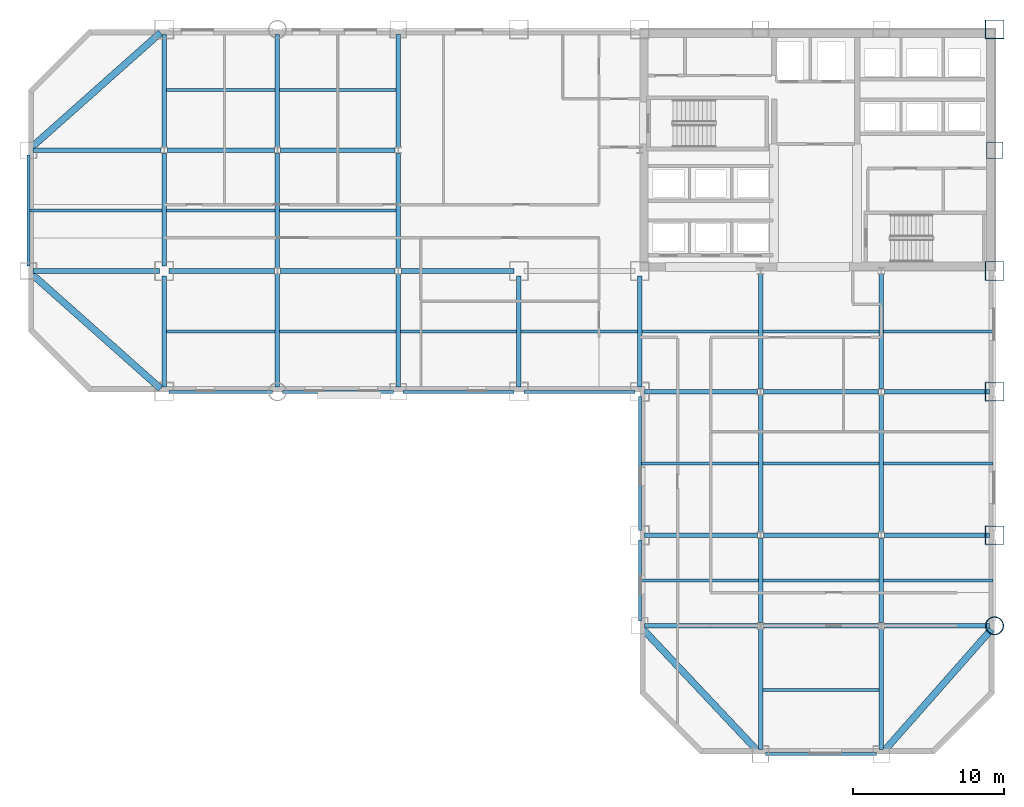
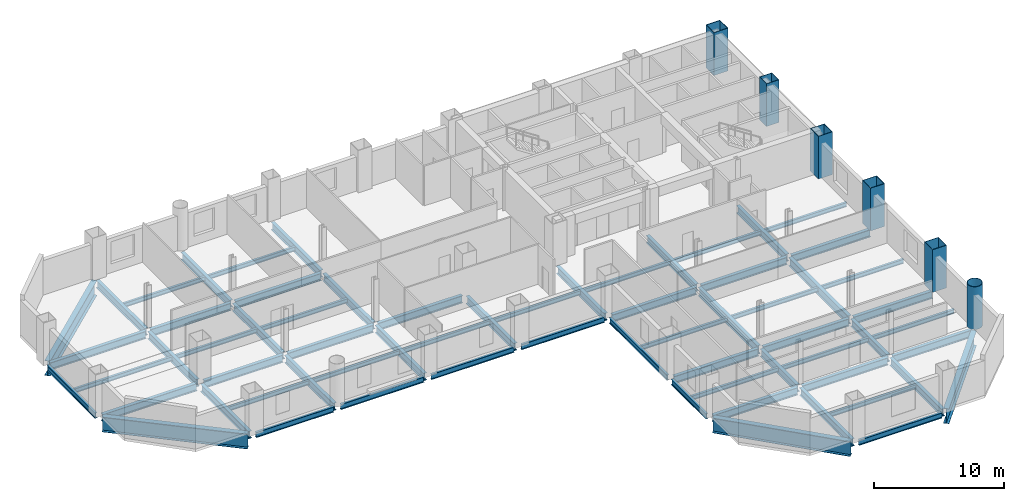
# One storey, part 3 of 9: 66 beams, 6 columns.
"""IFC4 building model written with IfcOpenShell, lengths in metres."""

from ifc_helpers import new_model, si_unit, direction, frame, origin, origin_2d, place, context, subcontext, project, spatial, hollow_rectangle, hollow_circle, i_section, extrude, material, material_profile, profile_set, type_object, element, save


model = new_model("IFC4")

# Units and contexts
model_context = context("Model", 3, precision=1e-05, world=origin(), true_north=direction((0.0, 1.0)))
body_context = subcontext(model_context, "Body", "Model", "MODEL_VIEW")
ifc_project = project(units=[si_unit("LENGTHUNIT", "METRE"), si_unit("AREAUNIT", "SQUARE_METRE"), si_unit("VOLUMEUNIT", "CUBIC_METRE"), si_unit("PLANEANGLEUNIT", "RADIAN"), si_unit("MASSUNIT", "GRAM", prefix="KILO")], contexts=[model_context])

# Site, building, storey
site_placement = place(None, origin())
site = spatial("IfcSite", under=ifc_project, at=site_placement, CompositionType="ELEMENT")
building_placement = place(site_placement, origin())
building = spatial("IfcBuilding", under=site, at=building_placement, Name="Qianrong Seaharbour Tower", CompositionType="ELEMENT")
storey_placement = place(building_placement, frame((0.0, 0.0, 80.199951171875)))
storey = spatial("IfcBuildingStorey", under=building, at=storey_placement, Name="L19", CompositionType="ELEMENT", Elevation=80.199951171875)

# Columns
ifc_material_1 = material(Name="Structural steel SN490B", Category="steel")
ifc_material_profile_1 = material_profile(ifc_material_1, hollow_rectangle(XDim=1.25, YDim=1.25, WallThickness=0.044921875, at=origin_2d()), Name="BOX1250x1250x45")
ifc_profile_set_1 = profile_set([ifc_material_profile_1], Name="Structural steel SN490B")
column_type_1 = type_object("IfcColumnType", Name="COL-CFT-1250", PredefinedType="COLUMN", material=ifc_profile_set_1)
for number, where, z_axis, x_axis, name in (
    (1, (64.0, 18.5, 0.0), (0.0, 0.0, 1.0), (1.0, 0.0, 0.0), "L19 Column MC-2 at G9/GD"),
    (2, (64.0, 28.0, 0.0), (0.0, 0.0, 1.0), (1.0, 0.0, 0.0), "L19 Column MC-2 at G9/GE"),
    (3, (64.0, 36.0, 0.0), (0.0, 0.0, 1.0), (1.0, 0.0, 0.0), "L19 Column MC-2 at G9/GF"),
    (4, (64.0, 52.0, 0.0), (0.0, 0.0, 1.0), (1.0, 0.0, 0.0), "L19 Column MC-2 at G9/GH"),
):
    element("IfcColumn", number, at=place(storey_placement, frame(where, z_axis=z_axis, x_axis=x_axis)), inside=storey, type_object=column_type_1, Name=name, PredefinedType="COLUMN", context=body_context, shape_type="SweptSolid", body=[
        extrude(hollow_rectangle(XDim=1.25, YDim=1.25, WallThickness=0.044921875, at=origin_2d()), origin(), (0.0, 0.0, 1.0), 4.0),
    ])
ifc_material_profile_2 = material_profile(ifc_material_1, hollow_circle(Radius=0.60009765625, WallThickness=0.0400390625, at=origin_2d()), Name="CHS1200x40")
ifc_profile_set_2 = profile_set([ifc_material_profile_2], Name="Structural steel SN490B")
column_type_2 = type_object("IfcColumnType", Name="COL-CHS-1200", PredefinedType="COLUMN", material=ifc_profile_set_2)
column_1_placement = place(storey_placement, frame((64.0, 12.5, 0.0), z_axis=(0.0, 0.0, 1.0), x_axis=(1.0, 0.0, 0.0)))
element("IfcColumn", 5, at=column_1_placement, inside=storey, type_object=column_type_2, Name="L19 Column CC-1 at G9/GC", PredefinedType="COLUMN", context=body_context, shape_type="SweptSolid", body=[
    extrude(hollow_circle(Radius=0.60009765625, WallThickness=0.0400390625, at=origin_2d()), origin(), (0.0, 0.0, 1.0), 4.0),
])
ifc_material_profile_3 = material_profile(ifc_material_1, hollow_rectangle(XDim=1.10009765625, YDim=1.10009765625, WallThickness=0.0400390625, at=origin_2d()), Name="BOX1100x1100x40")
ifc_profile_set_3 = profile_set([ifc_material_profile_3], Name="Structural steel SN490B")
column_type_3 = type_object("IfcColumnType", Name="COL-PER-1100", PredefinedType="COLUMN", material=ifc_profile_set_3)
column_2_placement = place(storey_placement, frame((64.0, 44.0, 0.0), z_axis=(0.0, 0.0, 1.0), x_axis=(1.0, 0.0, 0.0)))
element("IfcColumn", 6, at=column_2_placement, inside=storey, type_object=column_type_3, Name="L19 Column PC-1 at G9/GG", PredefinedType="COLUMN", context=body_context, shape_type="SweptSolid", body=[
    extrude(hollow_rectangle(XDim=1.10009765625, YDim=1.10009765625, WallThickness=0.0400390625, at=origin_2d()), origin(), (0.0, 0.0, 1.0), 4.0),
])

# Beams
ifc_material_profile_4 = material_profile(ifc_material_1, i_section(OverallWidth=0.300048828125, OverallDepth=0.699951171875, WebThickness=0.012939453125, FlangeThickness=0.02392578125, FilletRadius=0.02587890625, at=origin_2d()), Name="H700x300x13x24")
ifc_profile_set_4 = profile_set([ifc_material_profile_4], Name="Structural steel SN490B")
beam_type_1 = type_object("IfcBeamType", Name="BM-G-700", PredefinedType="BEAM", material=ifc_profile_set_4)
beam_1_placement = place(storey_placement, frame((40.820068359375, 12.5, -0.599853515625), z_axis=(1.0, 0.0, 0.0), x_axis=(0.0, 1.0, 0.0)))
element("IfcBeam", 7, at=beam_1_placement, inside=storey, type_object=beam_type_1, Name="L19 Primary Girder GC G6-G7", PredefinedType="BEAM", context=body_context, shape_type="SweptSolid", body=[
    extrude(i_section(OverallWidth=0.300048828125, OverallDepth=0.699951171875, WebThickness=0.012939453125, FlangeThickness=0.02392578125, FilletRadius=0.02587890625, at=origin_2d()), origin(), (0.0, 0.0, 1.0), 7.476318359375),
])
beam_2_placement = place(storey_placement, frame((48.70361328125, 12.5, -0.599853515625), z_axis=(1.0, 0.0, 0.0), x_axis=(0.0, 1.0, 0.0)))
element("IfcBeam", 8, at=beam_2_placement, inside=storey, type_object=beam_type_1, Name="L19 Primary Girder GC G7-G8", PredefinedType="BEAM", context=body_context, shape_type="SweptSolid", body=[
    extrude(i_section(OverallWidth=0.300048828125, OverallDepth=0.699951171875, WebThickness=0.012939453125, FlangeThickness=0.02392578125, FilletRadius=0.02587890625, at=origin_2d()), origin(), (0.0, 0.0, 1.0), 7.5927734375),
])
beam_3_placement = place(storey_placement, frame((56.70361328125, 12.5, -0.599853515625), z_axis=(1.0, 0.0, 0.0), x_axis=(0.0, 1.0, 0.0)))
element("IfcBeam", 9, at=beam_3_placement, inside=storey, type_object=beam_type_1, Name="L19 Primary Girder GC G8-G9", PredefinedType="BEAM", context=body_context, shape_type="SweptSolid", body=[
    extrude(i_section(OverallWidth=0.300048828125, OverallDepth=0.699951171875, WebThickness=0.012939453125, FlangeThickness=0.02392578125, FilletRadius=0.02587890625, at=origin_2d()), origin(), (0.0, 0.0, 1.0), 6.976318359375),
])
beam_4_placement = place(storey_placement, frame((40.820068359375, 18.5, -0.599853515625), z_axis=(1.0, 0.0, 0.0), x_axis=(0.0, 1.0, 0.0)))
element("IfcBeam", 10, at=beam_4_placement, inside=storey, type_object=beam_type_1, Name="L19 Primary Girder GD G6-G7", PredefinedType="BEAM", context=body_context, shape_type="SweptSolid", body=[
    extrude(i_section(OverallWidth=0.300048828125, OverallDepth=0.699951171875, WebThickness=0.012939453125, FlangeThickness=0.02392578125, FilletRadius=0.02587890625, at=origin_2d()), origin(), (0.0, 0.0, 1.0), 7.476318359375),
])
beam_5_placement = place(storey_placement, frame((48.70361328125, 18.5, -0.599853515625), z_axis=(1.0, 0.0, 0.0), x_axis=(0.0, 1.0, 0.0)))
element("IfcBeam", 11, at=beam_5_placement, inside=storey, type_object=beam_type_1, Name="L19 Primary Girder GD G7-G8", PredefinedType="BEAM", context=body_context, shape_type="SweptSolid", body=[
    extrude(i_section(OverallWidth=0.300048828125, OverallDepth=0.699951171875, WebThickness=0.012939453125, FlangeThickness=0.02392578125, FilletRadius=0.02587890625, at=origin_2d()), origin(), (0.0, 0.0, 1.0), 7.5927734375),
])
beam_6_placement = place(storey_placement, frame((56.70361328125, 18.5, -0.599853515625), z_axis=(1.0, 0.0, 0.0), x_axis=(0.0, 1.0, 0.0)))
element("IfcBeam", 12, at=beam_6_placement, inside=storey, type_object=beam_type_1, Name="L19 Primary Girder GD G8-G9", PredefinedType="BEAM", context=body_context, shape_type="SweptSolid", body=[
    extrude(i_section(OverallWidth=0.300048828125, OverallDepth=0.699951171875, WebThickness=0.012939453125, FlangeThickness=0.02392578125, FilletRadius=0.02587890625, at=origin_2d()), origin(), (0.0, 0.0, 1.0), 6.976318359375),
])
beam_7_placement = place(storey_placement, frame((40.820068359375, 28.0, -0.599853515625), z_axis=(1.0, 0.0, 0.0), x_axis=(0.0, 1.0, 0.0)))
element("IfcBeam", 13, at=beam_7_placement, inside=storey, type_object=beam_type_1, Name="L19 Primary Girder GE G6-G7", PredefinedType="BEAM", context=body_context, shape_type="SweptSolid", body=[
    extrude(i_section(OverallWidth=0.300048828125, OverallDepth=0.699951171875, WebThickness=0.012939453125, FlangeThickness=0.02392578125, FilletRadius=0.02587890625, at=origin_2d()), origin(), (0.0, 0.0, 1.0), 7.476318359375),
])
beam_8_placement = place(storey_placement, frame((48.70361328125, 28.0, -0.599853515625), z_axis=(1.0, 0.0, 0.0), x_axis=(0.0, 1.0, 0.0)))
element("IfcBeam", 14, at=beam_8_placement, inside=storey, type_object=beam_type_1, Name="L19 Primary Girder GE G7-G8", PredefinedType="BEAM", context=body_context, shape_type="SweptSolid", body=[
    extrude(i_section(OverallWidth=0.300048828125, OverallDepth=0.699951171875, WebThickness=0.012939453125, FlangeThickness=0.02392578125, FilletRadius=0.02587890625, at=origin_2d()), origin(), (0.0, 0.0, 1.0), 7.5927734375),
])
beam_9_placement = place(storey_placement, frame((56.70361328125, 28.0, -0.599853515625), z_axis=(1.0, 0.0, 0.0), x_axis=(0.0, 1.0, 0.0)))
element("IfcBeam", 15, at=beam_9_placement, inside=storey, type_object=beam_type_1, Name="L19 Primary Girder GE G8-G9", PredefinedType="BEAM", context=body_context, shape_type="SweptSolid", body=[
    extrude(i_section(OverallWidth=0.300048828125, OverallDepth=0.699951171875, WebThickness=0.012939453125, FlangeThickness=0.02392578125, FilletRadius=0.02587890625, at=origin_2d()), origin(), (0.0, 0.0, 1.0), 6.976318359375),
])
beam_10_placement = place(storey_placement, frame((0.320068359375, 36.0, -0.599853515625), z_axis=(1.0, 0.0, 0.0), x_axis=(0.0, 1.0, 0.0)))
element("IfcBeam", 16, at=beam_10_placement, inside=storey, type_object=beam_type_1, Name="L19 Primary Girder GF G1-G2", PredefinedType="BEAM", context=body_context, shape_type="SweptSolid", body=[
    extrude(i_section(OverallWidth=0.300048828125, OverallDepth=0.699951171875, WebThickness=0.012939453125, FlangeThickness=0.02392578125, FilletRadius=0.02587890625, at=origin_2d()), origin(), (0.0, 0.0, 1.0), 8.35986328125),
])
beam_11_placement = place(storey_placement, frame((9.320068359375, 36.0, -0.599853515625), z_axis=(1.0, 0.0, 0.0), x_axis=(0.0, 1.0, 0.0)))
element("IfcBeam", 17, at=beam_11_placement, inside=storey, type_object=beam_type_1, Name="L19 Primary Girder GF G2-G3", PredefinedType="BEAM", context=body_context, shape_type="SweptSolid", body=[
    extrude(i_section(OverallWidth=0.300048828125, OverallDepth=0.699951171875, WebThickness=0.012939453125, FlangeThickness=0.02392578125, FilletRadius=0.02587890625, at=origin_2d()), origin(), (0.0, 0.0, 1.0), 6.976318359375),
])
beam_12_placement = place(storey_placement, frame((16.70361328125, 36.0, -0.599853515625), z_axis=(1.0, 0.0, 0.0), x_axis=(0.0, 1.0, 0.0)))
element("IfcBeam", 18, at=beam_12_placement, inside=storey, type_object=beam_type_1, Name="L19 Primary Girder GF G3-G4", PredefinedType="BEAM", context=body_context, shape_type="SweptSolid", body=[
    extrude(i_section(OverallWidth=0.300048828125, OverallDepth=0.699951171875, WebThickness=0.012939453125, FlangeThickness=0.02392578125, FilletRadius=0.02587890625, at=origin_2d()), origin(), (0.0, 0.0, 1.0), 7.5927734375),
])
beam_13_placement = place(storey_placement, frame((24.70361328125, 36.0, -0.599853515625), z_axis=(1.0, 0.0, 0.0), x_axis=(0.0, 1.0, 0.0)))
element("IfcBeam", 19, at=beam_13_placement, inside=storey, type_object=beam_type_1, Name="L19 Primary Girder GF G4-G5", PredefinedType="BEAM", context=body_context, shape_type="SweptSolid", body=[
    extrude(i_section(OverallWidth=0.300048828125, OverallDepth=0.699951171875, WebThickness=0.012939453125, FlangeThickness=0.02392578125, FilletRadius=0.02587890625, at=origin_2d()), origin(), (0.0, 0.0, 1.0), 7.476318359375),
])
beam_14_placement = place(storey_placement, frame((0.320068359375, 44.0, -0.599853515625), z_axis=(1.0, 0.0, 0.0), x_axis=(0.0, 1.0, 0.0)))
element("IfcBeam", 20, at=beam_14_placement, inside=storey, type_object=beam_type_1, Name="L19 Primary Girder GG G1-G2", PredefinedType="BEAM", context=body_context, shape_type="SweptSolid", body=[
    extrude(i_section(OverallWidth=0.300048828125, OverallDepth=0.699951171875, WebThickness=0.012939453125, FlangeThickness=0.02392578125, FilletRadius=0.02587890625, at=origin_2d()), origin(), (0.0, 0.0, 1.0), 8.476318359375),
])
beam_15_placement = place(storey_placement, frame((9.20361328125, 44.0, -0.599853515625), z_axis=(1.0, 0.0, 0.0), x_axis=(0.0, 1.0, 0.0)))
element("IfcBeam", 21, at=beam_15_placement, inside=storey, type_object=beam_type_1, Name="L19 Primary Girder GG G2-G3", PredefinedType="BEAM", context=body_context, shape_type="SweptSolid", body=[
    extrude(i_section(OverallWidth=0.300048828125, OverallDepth=0.699951171875, WebThickness=0.012939453125, FlangeThickness=0.02392578125, FilletRadius=0.02587890625, at=origin_2d()), origin(), (0.0, 0.0, 1.0), 7.0927734375),
])
beam_16_placement = place(storey_placement, frame((16.70361328125, 44.0, -0.599853515625), z_axis=(1.0, 0.0, 0.0), x_axis=(0.0, 1.0, 0.0)))
element("IfcBeam", 22, at=beam_16_placement, inside=storey, type_object=beam_type_1, Name="L19 Primary Girder GG G3-G4", PredefinedType="BEAM", context=body_context, shape_type="SweptSolid", body=[
    extrude(i_section(OverallWidth=0.300048828125, OverallDepth=0.699951171875, WebThickness=0.012939453125, FlangeThickness=0.02392578125, FilletRadius=0.02587890625, at=origin_2d()), origin(), (0.0, 0.0, 1.0), 7.5927734375),
])
beam_17_placement = place(storey_placement, frame((9.0, 28.320068359375, -0.599853515625), z_axis=(0.0, 1.0, 0.0), x_axis=(-1.0, 0.0, 0.0)))
element("IfcBeam", 23, at=beam_17_placement, inside=storey, type_object=beam_type_1, Name="L19 Primary Girder G2 GE-GF", PredefinedType="BEAM", context=body_context, shape_type="SweptSolid", body=[
    extrude(i_section(OverallWidth=0.300048828125, OverallDepth=0.699951171875, WebThickness=0.012939453125, FlangeThickness=0.02392578125, FilletRadius=0.02587890625, at=origin_2d()), origin(), (0.0, 0.0, 1.0), 7.35986328125),
])
for number, where, z_axis, x_axis, name in (
    (24, (9.0, 36.320068359375, -0.599853515625), (0.0, 1.0, 0.0), (-1.0, 0.0, 0.0), "L19 Primary Girder G2 GF-GG"),
    (25, (9.0, 44.214111328125, -0.599853515625), (0.0, 1.0, 0.0), (-1.0, 0.0, 0.0), "L19 Primary Girder G2 GG-GH"),
    (26, (16.5, 28.320068359375, -0.599853515625), (0.0, 1.0, 0.0), (-1.0, 0.0, 0.0), "L19 Primary Girder G3 GE-GF"),
):
    element("IfcBeam", number, at=place(storey_placement, frame(where, z_axis=z_axis, x_axis=x_axis)), inside=storey, type_object=beam_type_1, Name=name, PredefinedType="BEAM", context=body_context, shape_type="SweptSolid", body=[
        extrude(i_section(OverallWidth=0.300048828125, OverallDepth=0.699951171875, WebThickness=0.012939453125, FlangeThickness=0.02392578125, FilletRadius=0.02587890625, at=origin_2d()), origin(), (0.0, 0.0, 1.0), 7.4658203125),
    ])
beam_18_placement = place(storey_placement, frame((16.5, 36.214111328125, -0.599853515625), z_axis=(0.0, 1.0, 0.0), x_axis=(-1.0, 0.0, 0.0)))
element("IfcBeam", 27, at=beam_18_placement, inside=storey, type_object=beam_type_1, Name="L19 Primary Girder G3 GF-GG", PredefinedType="BEAM", context=body_context, shape_type="SweptSolid", body=[
    extrude(i_section(OverallWidth=0.300048828125, OverallDepth=0.699951171875, WebThickness=0.012939453125, FlangeThickness=0.02392578125, FilletRadius=0.02587890625, at=origin_2d()), origin(), (0.0, 0.0, 1.0), 7.57177734375),
])
for number, where, z_axis, x_axis, name in (
    (28, (16.5, 44.214111328125, -0.599853515625), (0.0, 1.0, 0.0), (-1.0, 0.0, 0.0), "L19 Primary Girder G3 GG-GH"),
    (29, (24.5, 28.320068359375, -0.599853515625), (0.0, 1.0, 0.0), (-1.0, 0.0, 0.0), "L19 Primary Girder G4 GE-GF"),
):
    element("IfcBeam", number, at=place(storey_placement, frame(where, z_axis=z_axis, x_axis=x_axis)), inside=storey, type_object=beam_type_1, Name=name, PredefinedType="BEAM", context=body_context, shape_type="SweptSolid", body=[
        extrude(i_section(OverallWidth=0.300048828125, OverallDepth=0.699951171875, WebThickness=0.012939453125, FlangeThickness=0.02392578125, FilletRadius=0.02587890625, at=origin_2d()), origin(), (0.0, 0.0, 1.0), 7.4658203125),
    ])
beam_19_placement = place(storey_placement, frame((24.5, 36.214111328125, -0.599853515625), z_axis=(0.0, 1.0, 0.0), x_axis=(-1.0, 0.0, 0.0)))
element("IfcBeam", 30, at=beam_19_placement, inside=storey, type_object=beam_type_1, Name="L19 Primary Girder G4 GF-GG", PredefinedType="BEAM", context=body_context, shape_type="SweptSolid", body=[
    extrude(i_section(OverallWidth=0.300048828125, OverallDepth=0.699951171875, WebThickness=0.012939453125, FlangeThickness=0.02392578125, FilletRadius=0.02587890625, at=origin_2d()), origin(), (0.0, 0.0, 1.0), 7.57177734375),
])
beam_20_placement = place(storey_placement, frame((24.5, 44.214111328125, -0.599853515625), z_axis=(0.0, 1.0, 0.0), x_axis=(-1.0, 0.0, 0.0)))
element("IfcBeam", 31, at=beam_20_placement, inside=storey, type_object=beam_type_1, Name="L19 Primary Girder G4 GG-GH", PredefinedType="BEAM", context=body_context, shape_type="SweptSolid", body=[
    extrude(i_section(OverallWidth=0.300048828125, OverallDepth=0.699951171875, WebThickness=0.012939453125, FlangeThickness=0.02392578125, FilletRadius=0.02587890625, at=origin_2d()), origin(), (0.0, 0.0, 1.0), 7.4658203125),
])
for number, where, z_axis, x_axis, name in (
    (32, (32.5, 28.320068359375, -0.599853515625), (0.0, 1.0, 0.0), (-1.0, 0.0, 0.0), "L19 Primary Girder G5 GE-GF"),
    (33, (40.5, 28.320068359375, -0.599853515625), (0.0, 1.0, 0.0), (-1.0, 0.0, 0.0), "L19 Primary Girder G6 GE-GF"),
):
    element("IfcBeam", number, at=place(storey_placement, frame(where, z_axis=z_axis, x_axis=x_axis)), inside=storey, type_object=beam_type_1, Name=name, PredefinedType="BEAM", context=body_context, shape_type="SweptSolid", body=[
        extrude(i_section(OverallWidth=0.300048828125, OverallDepth=0.699951171875, WebThickness=0.012939453125, FlangeThickness=0.02392578125, FilletRadius=0.02587890625, at=origin_2d()), origin(), (0.0, 0.0, 1.0), 7.35986328125),
    ])
beam_21_placement = place(storey_placement, frame((48.5, 4.320068359375, -0.599853515625), z_axis=(0.0, 1.0, 0.0), x_axis=(-1.0, 0.0, 0.0)))
element("IfcBeam", 34, at=beam_21_placement, inside=storey, type_object=beam_type_1, Name="L19 Primary Girder G7 GB-GC", PredefinedType="BEAM", context=body_context, shape_type="SweptSolid", body=[
    extrude(i_section(OverallWidth=0.300048828125, OverallDepth=0.699951171875, WebThickness=0.012939453125, FlangeThickness=0.02392578125, FilletRadius=0.02587890625, at=origin_2d()), origin(), (0.0, 0.0, 1.0), 7.9658203125),
])
beam_22_placement = place(storey_placement, frame((48.5, 12.714111328125, -0.599853515625), z_axis=(0.0, 1.0, 0.0), x_axis=(-1.0, 0.0, 0.0)))
element("IfcBeam", 35, at=beam_22_placement, inside=storey, type_object=beam_type_1, Name="L19 Primary Girder G7 GC-GD", PredefinedType="BEAM", context=body_context, shape_type="SweptSolid", body=[
    extrude(i_section(OverallWidth=0.300048828125, OverallDepth=0.699951171875, WebThickness=0.012939453125, FlangeThickness=0.02392578125, FilletRadius=0.02587890625, at=origin_2d()), origin(), (0.0, 0.0, 1.0), 5.57177734375),
])
beam_23_placement = place(storey_placement, frame((48.5, 28.214111328125, -0.599853515625), z_axis=(0.0, 1.0, 0.0), x_axis=(-1.0, 0.0, 0.0)))
element("IfcBeam", 36, at=beam_23_placement, inside=storey, type_object=beam_type_1, Name="L19 Primary Girder G7 GE-GF", PredefinedType="BEAM", context=body_context, shape_type="SweptSolid", body=[
    extrude(i_section(OverallWidth=0.300048828125, OverallDepth=0.699951171875, WebThickness=0.012939453125, FlangeThickness=0.02392578125, FilletRadius=0.02587890625, at=origin_2d()), origin(), (0.0, 0.0, 1.0), 7.57177734375),
])
beam_24_placement = place(storey_placement, frame((56.5, 4.320068359375, -0.599853515625), z_axis=(0.0, 1.0, 0.0), x_axis=(-1.0, 0.0, 0.0)))
element("IfcBeam", 37, at=beam_24_placement, inside=storey, type_object=beam_type_1, Name="L19 Primary Girder G8 GB-GC", PredefinedType="BEAM", context=body_context, shape_type="SweptSolid", body=[
    extrude(i_section(OverallWidth=0.300048828125, OverallDepth=0.699951171875, WebThickness=0.012939453125, FlangeThickness=0.02392578125, FilletRadius=0.02587890625, at=origin_2d()), origin(), (0.0, 0.0, 1.0), 7.9658203125),
])
beam_25_placement = place(storey_placement, frame((56.5, 12.714111328125, -0.599853515625), z_axis=(0.0, 1.0, 0.0), x_axis=(-1.0, 0.0, 0.0)))
element("IfcBeam", 38, at=beam_25_placement, inside=storey, type_object=beam_type_1, Name="L19 Primary Girder G8 GC-GD", PredefinedType="BEAM", context=body_context, shape_type="SweptSolid", body=[
    extrude(i_section(OverallWidth=0.300048828125, OverallDepth=0.699951171875, WebThickness=0.012939453125, FlangeThickness=0.02392578125, FilletRadius=0.02587890625, at=origin_2d()), origin(), (0.0, 0.0, 1.0), 5.57177734375),
])
beam_26_placement = place(storey_placement, frame((56.5, 28.214111328125, -0.599853515625), z_axis=(0.0, 1.0, 0.0), x_axis=(-1.0, 0.0, 0.0)))
element("IfcBeam", 39, at=beam_26_placement, inside=storey, type_object=beam_type_1, Name="L19 Primary Girder G8 GE-GF", PredefinedType="BEAM", context=body_context, shape_type="SweptSolid", body=[
    extrude(i_section(OverallWidth=0.300048828125, OverallDepth=0.699951171875, WebThickness=0.012939453125, FlangeThickness=0.02392578125, FilletRadius=0.02587890625, at=origin_2d()), origin(), (0.0, 0.0, 1.0), 7.57177734375),
])
ifc_material_profile_5 = material_profile(ifc_material_1, i_section(OverallWidth=0.300048828125, OverallDepth=0.800048828125, WebThickness=0.013916015625, FlangeThickness=0.02587890625, FilletRadius=0.028076171875, at=origin_2d()), Name="H800x300x14x26")
ifc_profile_set_5 = profile_set([ifc_material_profile_5], Name="Structural steel SN490B")
beam_type_2 = type_object("IfcBeamType", Name="BM-G-800", PredefinedType="BEAM", material=ifc_profile_set_5)
for number, where, z_axis, x_axis, name in (
    (40, (48.5, 18.714111328125, -0.64990234375), (0.0, 1.0, 0.0), (-1.0, 0.0, 0.0), "L19 Primary Girder G7 GD-GE"),
    (41, (56.5, 18.714111328125, -0.64990234375), (0.0, 1.0, 0.0), (-1.0, 0.0, 0.0), "L19 Primary Girder G8 GD-GE"),
):
    element("IfcBeam", number, at=place(storey_placement, frame(where, z_axis=z_axis, x_axis=x_axis)), inside=storey, type_object=beam_type_2, Name=name, PredefinedType="BEAM", context=body_context, shape_type="SweptSolid", body=[
        extrude(i_section(OverallWidth=0.300048828125, OverallDepth=0.800048828125, WebThickness=0.013916015625, FlangeThickness=0.02587890625, FilletRadius=0.028076171875, at=origin_2d()), origin(), (0.0, 0.0, 1.0), 9.07177734375),
    ])
ifc_material_2 = material(Name="Structural steel SN400B", Category="steel")
ifc_material_profile_6 = material_profile(ifc_material_2, i_section(OverallWidth=0.199951171875, OverallDepth=0.39990234375, WebThickness=0.008056640625, FlangeThickness=0.012939453125, FilletRadius=0.01611328125, at=origin_2d()), Name="H400x200x8x13")
ifc_profile_set_6 = profile_set([ifc_material_profile_6], Name="Structural steel SN400B")
beam_type_3 = type_object("IfcBeamType", Name="BM-J-400", PredefinedType="JOIST", material=ifc_profile_set_6)
beam_27_placement = place(storey_placement, frame((0.10009765625, 40.0, -0.449951171875), z_axis=(1.0, 0.0, 0.0), x_axis=(0.0, 1.0, 0.0)))
element("IfcBeam", 42, at=beam_27_placement, inside=storey, type_object=beam_type_3, Name="L19 Composite Floor Joist G1-G2/GF-GG", PredefinedType="JOIST", context=body_context, shape_type="SweptSolid", body=[
    extrude(i_section(OverallWidth=0.199951171875, OverallDepth=0.39990234375, WebThickness=0.008056640625, FlangeThickness=0.012939453125, FilletRadius=0.01611328125, at=origin_2d()), origin(), (0.0, 0.0, 1.0), 8.75),
])
for number, where, z_axis, x_axis, name in (
    (43, (9.14990234375, 32.0, -0.449951171875), (1.0, 0.0, 0.0), (0.0, 1.0, 0.0), "L19 Composite Floor Joist G2-G3/GE-GF"),
    (44, (9.14990234375, 40.0, -0.449951171875), (1.0, 0.0, 0.0), (0.0, 1.0, 0.0), "L19 Composite Floor Joist G2-G3/GF-GG"),
    (45, (9.14990234375, 48.0, -0.449951171875), (1.0, 0.0, 0.0), (0.0, 1.0, 0.0), "L19 Composite Floor Joist G2-G3/GG-GH"),
):
    element("IfcBeam", number, at=place(storey_placement, frame(where, z_axis=z_axis, x_axis=x_axis)), inside=storey, type_object=beam_type_3, Name=name, PredefinedType="JOIST", context=body_context, shape_type="SweptSolid", body=[
        extrude(i_section(OverallWidth=0.199951171875, OverallDepth=0.39990234375, WebThickness=0.008056640625, FlangeThickness=0.012939453125, FilletRadius=0.01611328125, at=origin_2d()), origin(), (0.0, 0.0, 1.0), 7.2001953125),
    ])
for number, where, z_axis, x_axis, name in (
    (46, (16.64990234375, 32.0, -0.449951171875), (1.0, 0.0, 0.0), (0.0, 1.0, 0.0), "L19 Composite Floor Joist G3-G4/GE-GF"),
    (47, (16.64990234375, 40.0, -0.449951171875), (1.0, 0.0, 0.0), (0.0, 1.0, 0.0), "L19 Composite Floor Joist G3-G4/GF-GG"),
    (48, (16.64990234375, 48.0, -0.449951171875), (1.0, 0.0, 0.0), (0.0, 1.0, 0.0), "L19 Composite Floor Joist G3-G4/GG-GH"),
    (49, (24.64990234375, 32.0, -0.449951171875), (1.0, 0.0, 0.0), (0.0, 1.0, 0.0), "L19 Composite Floor Joist G4-G5/GE-GF"),
    (50, (32.64990234375, 32.0, -0.449951171875), (1.0, 0.0, 0.0), (0.0, 1.0, 0.0), "L19 Composite Floor Joist G5-G6/GE-GF"),
):
    element("IfcBeam", number, at=place(storey_placement, frame(where, z_axis=z_axis, x_axis=x_axis)), inside=storey, type_object=beam_type_3, Name=name, PredefinedType="JOIST", context=body_context, shape_type="SweptSolid", body=[
        extrude(i_section(OverallWidth=0.199951171875, OverallDepth=0.39990234375, WebThickness=0.008056640625, FlangeThickness=0.012939453125, FilletRadius=0.01611328125, at=origin_2d()), origin(), (0.0, 0.0, 1.0), 7.7001953125),
    ])
for number, where, z_axis, x_axis, name in (
    (51, (40.60009765625, 15.5, -0.449951171875), (1.0, 0.0, 0.0), (0.0, 1.0, 0.0), "L19 Composite Floor Joist G6-G7/GC-GD"),
    (52, (40.60009765625, 23.25, -0.449951171875), (1.0, 0.0, 0.0), (0.0, 1.0, 0.0), "L19 Composite Floor Joist G6-G7/GD-GE"),
):
    element("IfcBeam", number, at=place(storey_placement, frame(where, z_axis=z_axis, x_axis=x_axis)), inside=storey, type_object=beam_type_3, Name=name, PredefinedType="JOIST", context=body_context, shape_type="SweptSolid", body=[
        extrude(i_section(OverallWidth=0.199951171875, OverallDepth=0.39990234375, WebThickness=0.008056640625, FlangeThickness=0.012939453125, FilletRadius=0.01611328125, at=origin_2d()), origin(), (0.0, 0.0, 1.0), 7.75),
    ])
for number, where, z_axis, x_axis, name in (
    (53, (40.64990234375, 32.0, -0.449951171875), (1.0, 0.0, 0.0), (0.0, 1.0, 0.0), "L19 Composite Floor Joist G6-G7/GE-GF"),
    (54, (48.64990234375, 8.25, -0.449951171875), (1.0, 0.0, 0.0), (0.0, 1.0, 0.0), "L19 Composite Floor Joist G7-G8/GB-GC"),
    (55, (48.64990234375, 15.5, -0.449951171875), (1.0, 0.0, 0.0), (0.0, 1.0, 0.0), "L19 Composite Floor Joist G7-G8/GC-GD"),
    (56, (48.64990234375, 23.25, -0.449951171875), (1.0, 0.0, 0.0), (0.0, 1.0, 0.0), "L19 Composite Floor Joist G7-G8/GD-GE"),
    (57, (48.64990234375, 32.0, -0.449951171875), (1.0, 0.0, 0.0), (0.0, 1.0, 0.0), "L19 Composite Floor Joist G7-G8/GE-GF"),
):
    element("IfcBeam", number, at=place(storey_placement, frame(where, z_axis=z_axis, x_axis=x_axis)), inside=storey, type_object=beam_type_3, Name=name, PredefinedType="JOIST", context=body_context, shape_type="SweptSolid", body=[
        extrude(i_section(OverallWidth=0.199951171875, OverallDepth=0.39990234375, WebThickness=0.008056640625, FlangeThickness=0.012939453125, FilletRadius=0.01611328125, at=origin_2d()), origin(), (0.0, 0.0, 1.0), 7.7001953125),
    ])
for number, where, z_axis, x_axis, name in (
    (58, (56.64990234375, 15.5, -0.449951171875), (1.0, 0.0, 0.0), (0.0, 1.0, 0.0), "L19 Composite Floor Joist G8-G9/GC-GD"),
    (59, (56.64990234375, 23.25, -0.449951171875), (1.0, 0.0, 0.0), (0.0, 1.0, 0.0), "L19 Composite Floor Joist G8-G9/GD-GE"),
    (60, (56.64990234375, 32.0, -0.449951171875), (1.0, 0.0, 0.0), (0.0, 1.0, 0.0), "L19 Composite Floor Joist G8-G9/GE-GF"),
):
    element("IfcBeam", number, at=place(storey_placement, frame(where, z_axis=z_axis, x_axis=x_axis)), inside=storey, type_object=beam_type_3, Name=name, PredefinedType="JOIST", context=body_context, shape_type="SweptSolid", body=[
        extrude(i_section(OverallWidth=0.199951171875, OverallDepth=0.39990234375, WebThickness=0.008056640625, FlangeThickness=0.012939453125, FilletRadius=0.01611328125, at=origin_2d()), origin(), (0.0, 0.0, 1.0), 7.25),
    ])
ifc_material_profile_7 = material_profile(ifc_material_1, i_section(OverallWidth=0.199951171875, OverallDepth=0.5, WebThickness=0.010009765625, FlangeThickness=0.01611328125, FilletRadius=0.02001953125, at=origin_2d()), Name="H500x200x10x16")
ifc_profile_set_7 = profile_set([ifc_material_profile_7], Name="Structural steel SN490B")
beam_type_4 = type_object("IfcBeamType", Name="BM-SP-500", PredefinedType="SPANDREL", material=ifc_profile_set_7)
beam_28_placement = place(storey_placement, frame((48.820068359375, 4.0, -0.5), z_axis=(1.0, 0.0, 0.0), x_axis=(0.0, 1.0, 0.0)))
element("IfcBeam", 61, at=beam_28_placement, inside=storey, type_object=beam_type_4, Name="L19 Spandrel Girder GB G7-G8", PredefinedType="SPANDREL", context=body_context, shape_type="SweptSolid", body=[
    extrude(i_section(OverallWidth=0.199951171875, OverallDepth=0.5, WebThickness=0.010009765625, FlangeThickness=0.01611328125, FilletRadius=0.02001953125, at=origin_2d()), origin(), (0.0, 0.0, 1.0), 7.35986328125),
])
beam_29_placement = place(storey_placement, frame((9.320068359375, 28.0, -0.5), z_axis=(1.0, 0.0, 0.0), x_axis=(0.0, 1.0, 0.0)))
element("IfcBeam", 62, at=beam_29_placement, inside=storey, type_object=beam_type_4, Name="L19 Spandrel Girder GE G2-G3", PredefinedType="SPANDREL", context=body_context, shape_type="SweptSolid", body=[
    extrude(i_section(OverallWidth=0.199951171875, OverallDepth=0.5, WebThickness=0.010009765625, FlangeThickness=0.01611328125, FilletRadius=0.02001953125, at=origin_2d()), origin(), (0.0, 0.0, 1.0), 6.85986328125),
])
for number, where, z_axis, x_axis, name in (
    (63, (16.820068359375, 28.0, -0.5), (1.0, 0.0, 0.0), (0.0, 1.0, 0.0), "L19 Spandrel Girder GE G3-G4"),
    (64, (24.820068359375, 28.0, -0.5), (1.0, 0.0, 0.0), (0.0, 1.0, 0.0), "L19 Spandrel Girder GE G4-G5"),
    (65, (32.820068359375, 28.0, -0.5), (1.0, 0.0, 0.0), (0.0, 1.0, 0.0), "L19 Spandrel Girder GE G5-G6"),
    (66, (0.0, 36.320068359375, -0.5), (0.0, 1.0, 0.0), (-1.0, 0.0, 0.0), "L19 Spandrel Girder G1 GF-GG"),
):
    element("IfcBeam", number, at=place(storey_placement, frame(where, z_axis=z_axis, x_axis=x_axis)), inside=storey, type_object=beam_type_4, Name=name, PredefinedType="SPANDREL", context=body_context, shape_type="SweptSolid", body=[
        extrude(i_section(OverallWidth=0.199951171875, OverallDepth=0.5, WebThickness=0.010009765625, FlangeThickness=0.01611328125, FilletRadius=0.02001953125, at=origin_2d()), origin(), (0.0, 0.0, 1.0), 7.35986328125),
    ])
beam_30_placement = place(storey_placement, frame((40.5, 12.820068359375, -0.5), z_axis=(0.0, 1.0, 0.0), x_axis=(-1.0, 0.0, 0.0)))
element("IfcBeam", 67, at=beam_30_placement, inside=storey, type_object=beam_type_4, Name="L19 Spandrel Girder G6 GC-GD", PredefinedType="SPANDREL", context=body_context, shape_type="SweptSolid", body=[
    extrude(i_section(OverallWidth=0.199951171875, OverallDepth=0.5, WebThickness=0.010009765625, FlangeThickness=0.01611328125, FilletRadius=0.02001953125, at=origin_2d()), origin(), (0.0, 0.0, 1.0), 5.35986328125),
])
beam_31_placement = place(storey_placement, frame((40.5, 18.820068359375, -0.5), z_axis=(0.0, 1.0, 0.0), x_axis=(-1.0, 0.0, 0.0)))
element("IfcBeam", 68, at=beam_31_placement, inside=storey, type_object=beam_type_4, Name="L19 Spandrel Girder G6 GD-GE", PredefinedType="SPANDREL", context=body_context, shape_type="SweptSolid", body=[
    extrude(i_section(OverallWidth=0.199951171875, OverallDepth=0.5, WebThickness=0.010009765625, FlangeThickness=0.01611328125, FilletRadius=0.02001953125, at=origin_2d()), origin(), (0.0, 0.0, 1.0), 8.85986328125),
])
ifc_material_profile_8 = material_profile(ifc_material_1, i_section(OverallWidth=0.449951171875, OverallDepth=1.39990234375, WebThickness=0.02197265625, FlangeThickness=0.0400390625, at=origin_2d()), Name="BH1400x450x22x40")
ifc_profile_set_8 = profile_set([ifc_material_profile_8], Name="Structural steel SN490B")
beam_type_5 = type_object("IfcBeamType", Name="BM-TG-1400", PredefinedType="BEAM", material=ifc_profile_set_8)
for number, where, z_axis, x_axis, name in (
    (69, (8.7607421875, 28.212646484375, -0.949951171875), (-0.747406955841, 0.664366497018, 0.0), (-0.664366497018, -0.747406955841, 0.0), "L19 Chamfer Corner Spandrel Girder G1/GE"),
    (70, (8.7607421875, 51.787353515625, -0.949951171875), (-0.747406955841, -0.664366497018, 0.0), (0.664366497018, -0.747406955841, 0.0), "L19 Chamfer Corner Spandrel Girder G1/GH"),
):
    element("IfcBeam", number, at=place(storey_placement, frame(where, z_axis=z_axis, x_axis=x_axis)), inside=storey, type_object=beam_type_5, Name=name, PredefinedType="BEAM", context=body_context, shape_type="SweptSolid", body=[
        extrude(i_section(OverallWidth=0.449951171875, OverallDepth=1.39990234375, WebThickness=0.02197265625, FlangeThickness=0.0400390625, at=origin_2d()), origin(), (0.0, 0.0, 1.0), 11.4013671875),
    ])
beam_32_placement = place(storey_placement, frame((48.28076171875, 4.23291015625, -0.949951171875), z_axis=(-0.685361938021, 0.728202591256, 0.0), x_axis=(-0.728202591256, -0.685361938021, 0.0)))
element("IfcBeam", 71, at=beam_32_placement, inside=storey, type_object=beam_type_5, Name="L19 Chamfer Corner Spandrel Girder G6/GB", PredefinedType="BEAM", context=body_context, shape_type="SweptSolid", body=[
    extrude(i_section(OverallWidth=0.449951171875, OverallDepth=1.39990234375, WebThickness=0.02197265625, FlangeThickness=0.0400390625, at=origin_2d()), origin(), (0.0, 0.0, 1.0), 11.032958984375),
])
beam_33_placement = place(storey_placement, frame((56.711669921875, 4.239990234375, -0.949951171875), z_axis=(0.661630696334, 0.749829861815, 0.0), x_axis=(-0.749829861815, 0.661630696334, 0.0)))
element("IfcBeam", 72, at=beam_33_placement, inside=storey, type_object=beam_type_5, Name="L19 Chamfer Corner Spandrel Girder G9/GB", PredefinedType="BEAM", context=body_context, shape_type="SweptSolid", body=[
    extrude(i_section(OverallWidth=0.449951171875, OverallDepth=1.39990234375, WebThickness=0.02197265625, FlangeThickness=0.0400390625, at=origin_2d()), origin(), (0.0, 0.0, 1.0), 10.69580078125),
])

save(model, "model.ifc")
